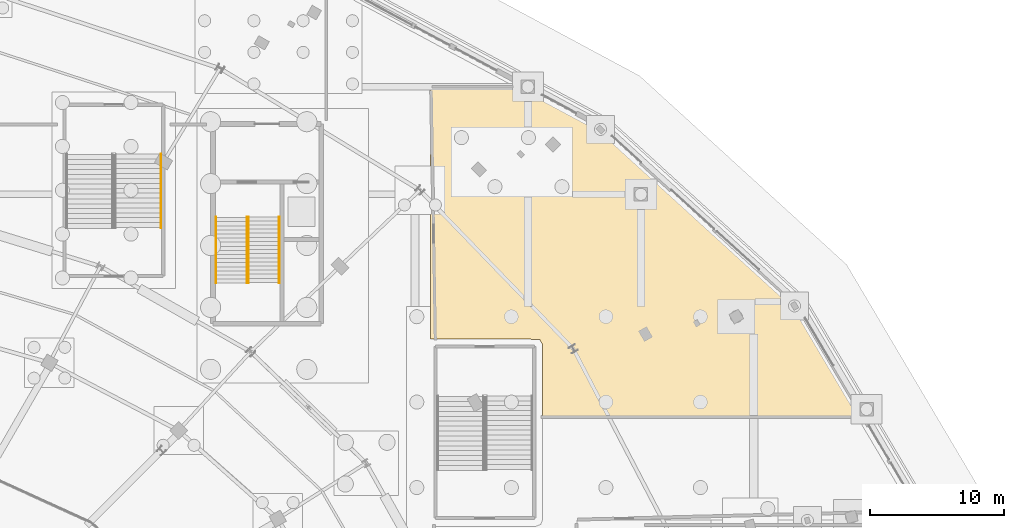
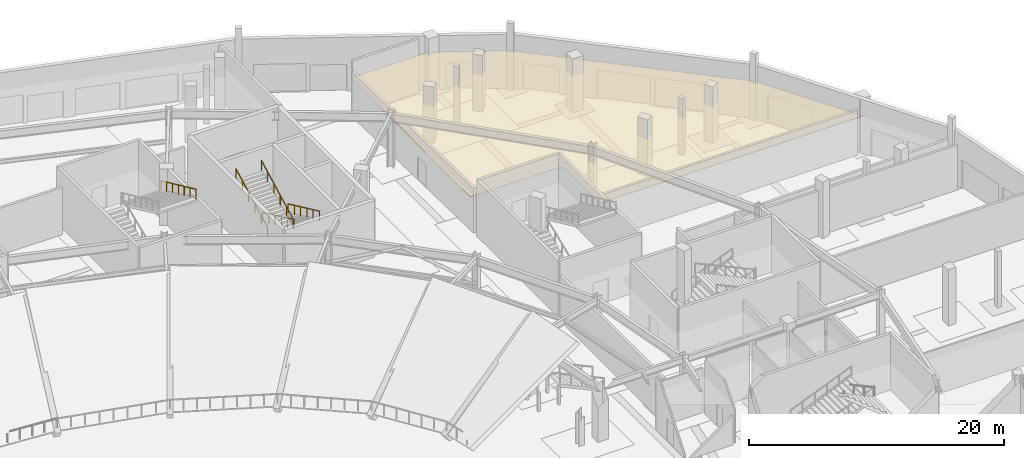
# One storey, part 92 of 93: 5 railings, 1 covering.
"""IFC4 building model written with IfcOpenShell, lengths in metres."""

from ifc_helpers import new_model, si_unit, direction, frame, origin, origin_2d, place, context, subcontext, project, spatial, polyline, circle, outline, extrude, material, layer, layer_set, type_object, element, save


model = new_model("IFC4")

# Units and contexts
model_context = context("Model", 3, precision=1e-05, world=origin(), true_north=direction((0.0, 1.0)))
body_context = subcontext(model_context, "Body", "Model", "MODEL_VIEW")
ifc_project = project(units=[si_unit("LENGTHUNIT", "METRE"), si_unit("AREAUNIT", "SQUARE_METRE"), si_unit("VOLUMEUNIT", "CUBIC_METRE"), si_unit("PLANEANGLEUNIT", "RADIAN"), si_unit("MASSUNIT", "GRAM", prefix="KILO")], contexts=[model_context])

# Site, building, storey
site_placement = place(None, origin())
site = spatial("IfcSite", under=ifc_project, at=site_placement, CompositionType="ELEMENT")
building_placement = place(site_placement, origin())
building = spatial("IfcBuilding", under=site, at=building_placement, Name="Kalgoora Escarpment Arena", CompositionType="ELEMENT")
storey_placement = place(building_placement, origin())
storey = spatial("IfcBuildingStorey", under=building, at=storey_placement, Name="L00", CompositionType="ELEMENT", Elevation=0.0)

# Covering
ifc_material_1 = material(Name="Perforated acoustic mineral-fibre ceiling tile")
ifc_layer = layer(ifc_material_1, 0.02490234375)
ifc_layer_set = layer_set([ifc_layer], Name="COV-CEIL-ACOUSTIC")
covering_type = type_object("IfcCoveringType", Name="COV-CEIL-ACOUSTIC", PredefinedType="CEILING", material=ifc_layer_set)
covering_placement = place(storey_placement, frame((0.0, 0.0, 3.47998046875)))
element("IfcCovering", 1, at=covering_placement, inside=storey, type_object=covering_type, Name="L00 North-East Protected Exit Passageway 2 acoustic suspended ceiling", PredefinedType="CEILING", context=body_context, shape_type="SweptSolid", body=[
    extrude(outline(polyline([(143.960693359375, 112.0078125), (151.01318359375, 112.0400390625), (156.771728515625, 108.948974609375), (171.224609375, 95.7724609375), (176.160400390625, 87.42529296875), (152.300048828125, 87.409912109375), (152.300048828125, 92.800048828125), (152.077880859375, 93.2158203125), (143.9599609375, 93.23828125), (143.960693359375, 112.0078125)])), origin(), (0.0, 0.0, 1.0), 0.02490234375),
])

# Railings
ifc_material_2 = material(Name="Brushed stainless steel 316 handrail", Category="steel")
railing_type = type_object("IfcRailingType", Name="RAL-HAND-920", PredefinedType="HANDRAIL", material=ifc_material_2)
for number, where, name in (
    (2, (132.699951171875, 102.31005859375, 0.37890625), "ST04 L00 pitched stair handrail F1L"),
    (3, (130.405029296875, 102.31005859375, 0.37890625), "ST04 L00 pitched stair handrail F1R"),
):
    element("IfcRailing", number, at=place(storey_placement, frame(where)), inside=storey, type_object=railing_type, Name=name, PredefinedType="HANDRAIL", context=body_context, shape_type="SweptSolid", body=[
        extrude(circle(Radius=0.02392578125, at=origin_2d()), frame((0.0, 0.0, 0.89599609375), z_axis=(0.0, -0.906917908097, 0.421307379443), x_axis=(1.0, 0.0, 0.0)), (0.0, 0.0, 1.0), 5.4140625),
        extrude(circle(Radius=0.02099609375, at=origin_2d()), origin(), (0.0, 0.0, 1.0), 0.871826171875),
        extrude(circle(Radius=0.02099609375, at=origin_2d()), frame((0.0, -0.98193359375, 0.456298828125)), (0.0, 0.0, 1.0), 0.871826171875),
        extrude(circle(Radius=0.02099609375, at=origin_2d()), frame((0.0, -1.964111328125, 0.912353515625)), (0.0, 0.0, 1.0), 0.871826171875),
        extrude(circle(Radius=0.02099609375, at=origin_2d()), frame((0.0, -2.946044921875, 1.36865234375)), (0.0, 0.0, 1.0), 0.871826171875),
        extrude(circle(Radius=0.02099609375, at=origin_2d()), frame((0.0, -3.92822265625, 1.82470703125)), (0.0, 0.0, 1.0), 0.871826171875),
        extrude(circle(Radius=0.02099609375, at=origin_2d()), frame((0.0, -4.91015625, 2.281005859375)), (0.0, 0.0, 1.0), 0.871826171875),
    ])
for number, where, name in (
    (4, (130.294921875, 97.39990234375, 2.81884765625), "ST04 L00 pitched stair handrail F2L"),
    (5, (128.0, 97.39990234375, 2.81884765625), "ST04 L00 pitched stair handrail F2R"),
):
    element("IfcRailing", number, at=place(storey_placement, frame(where)), inside=storey, type_object=railing_type, Name=name, PredefinedType="HANDRAIL", context=body_context, shape_type="SweptSolid", body=[
        extrude(circle(Radius=0.02392578125, at=origin_2d()), frame((0.0, 0.0, 0.89599609375), z_axis=(0.0, 0.88810515041, 0.459640339629), x_axis=(-1.0, 0.0, 0.0)), (0.0, 0.0, 1.0), 5.52880859375),
        extrude(circle(Radius=0.02099609375, at=origin_2d()), origin(), (0.0, 0.0, 1.0), 0.871826171875),
        extrude(circle(Radius=0.02099609375, at=origin_2d()), frame((0.0, 0.98193359375, 0.50830078125)), (0.0, 0.0, 1.0), 0.871826171875),
        extrude(circle(Radius=0.02099609375, at=origin_2d()), frame((0.0, 1.964111328125, 1.0166015625)), (0.0, 0.0, 1.0), 0.871826171875),
        extrude(circle(Radius=0.02099609375, at=origin_2d()), frame((0.0, 2.946044921875, 1.524658203125)), (0.0, 0.0, 1.0), 0.871826171875),
        extrude(circle(Radius=0.02099609375, at=origin_2d()), frame((0.0, 3.92822265625, 2.032958984375)), (0.0, 0.0, 1.0), 0.871826171875),
        extrude(circle(Radius=0.02099609375, at=origin_2d()), frame((0.0, 4.91015625, 2.541259765625)), (0.0, 0.0, 1.0), 0.871826171875),
    ])
railing_placement = place(storey_placement, frame((123.89990234375, 106.9951171875, 2.828857421875)))
element("IfcRailing", 6, at=railing_placement, inside=storey, type_object=railing_type, Name="ST12 L00 pitched stair handrail F2R", PredefinedType="HANDRAIL", context=body_context, shape_type="SweptSolid", body=[
    extrude(circle(Radius=0.02392578125, at=origin_2d()), frame((0.0, 0.0, 0.89599609375), z_axis=(0.0, -0.908559891483, 0.417754621265), x_axis=(1.0, 0.0, 0.0)), (0.0, 0.0, 1.0), 6.05908203125),
    extrude(circle(Radius=0.02099609375, at=origin_2d()), origin(), (0.0, 0.0, 1.0), 0.871826171875),
    extrude(circle(Radius=0.02099609375, at=origin_2d()), frame((0.0, -0.91748046875, 0.421875)), (0.0, 0.0, 1.0), 0.871826171875),
    extrude(circle(Radius=0.02099609375, at=origin_2d()), frame((0.0, -1.8349609375, 0.84375)), (0.0, 0.0, 1.0), 0.871826171875),
    extrude(circle(Radius=0.02099609375, at=origin_2d()), frame((0.0, -2.75244140625, 1.265625)), (0.0, 0.0, 1.0), 0.871826171875),
    extrude(circle(Radius=0.02099609375, at=origin_2d()), frame((0.0, -3.670166015625, 1.6875)), (0.0, 0.0, 1.0), 0.871826171875),
    extrude(circle(Radius=0.02099609375, at=origin_2d()), frame((0.0, -4.587646484375, 2.109375)), (0.0, 0.0, 1.0), 0.871826171875),
    extrude(circle(Radius=0.02099609375, at=origin_2d()), frame((0.0, -5.505126953125, 2.53125)), (0.0, 0.0, 1.0), 0.871826171875),
])

save(model, "model.ifc")
